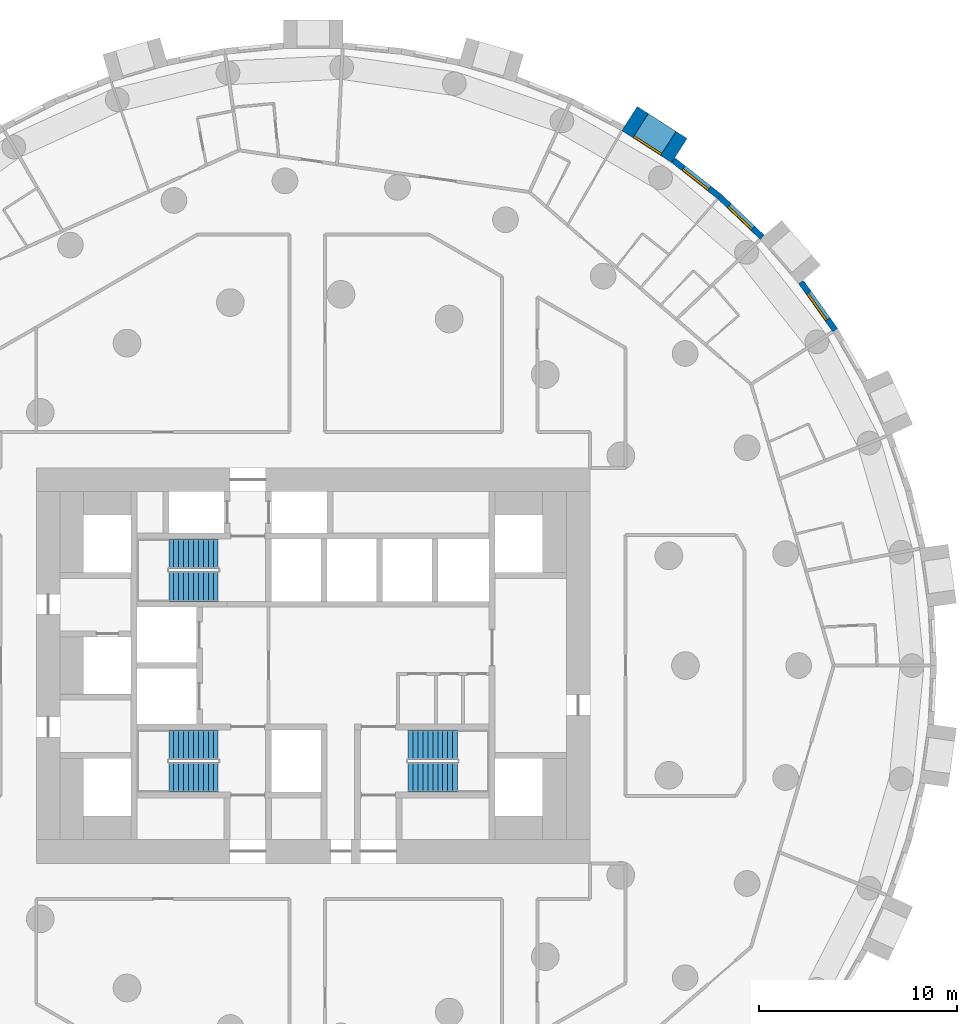
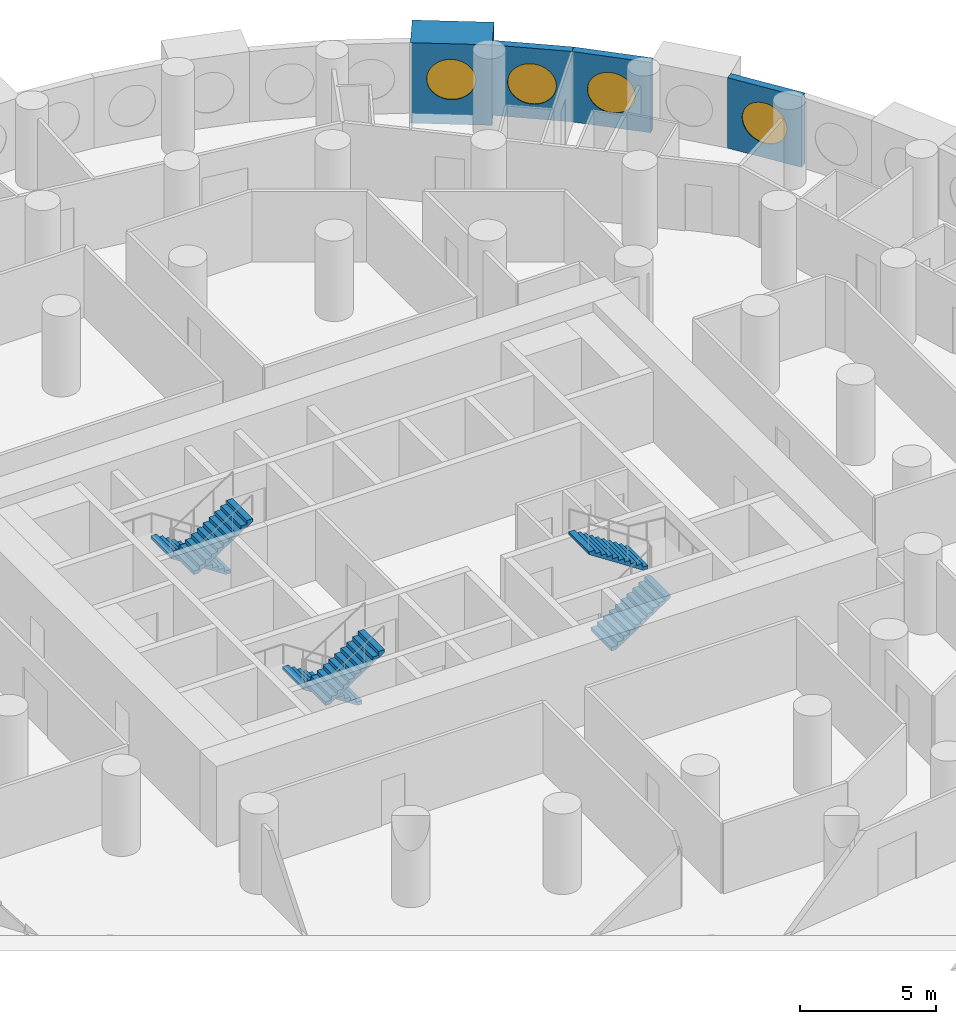
# One storey, part 11 of 12: 6 stair flights, 4 walls, 4 windows, 4 openings, 3 elements without a shape of their own.
"""IFC4 building model written with IfcOpenShell, lengths in metres."""

from ifc_helpers import new_model, si_unit, direction, frame, frame_2d, origin, origin_2d, place, context, subcontext, project, spatial, polyline, rectangle, circle, outline, extrude, material, layer, layer_set, type_object, element, fill, aggregate, save


model = new_model("IFC4")

# Units and contexts
model_context = context("Model", 3, precision=1e-05, world=origin(), true_north=direction((0.0, 1.0)))
body_context = subcontext(model_context, "Body", "Model", "MODEL_VIEW")
ifc_project = project(units=[si_unit("LENGTHUNIT", "METRE"), si_unit("AREAUNIT", "SQUARE_METRE"), si_unit("VOLUMEUNIT", "CUBIC_METRE"), si_unit("PLANEANGLEUNIT", "RADIAN"), si_unit("MASSUNIT", "GRAM", prefix="KILO")], contexts=[model_context])

# Site, building, storey
site_placement = place(None, origin())
site = spatial("IfcSite", under=ifc_project, at=site_placement, CompositionType="ELEMENT")
building_placement = place(site_placement, origin())
building = spatial("IfcBuilding", under=site, at=building_placement, Name="Tracery Tower", CompositionType="ELEMENT")
storey_placement = place(building_placement, frame((0.0, 0.0, 111.0)))
storey = spatial("IfcBuildingStorey", under=building, at=storey_placement, Name="L28", CompositionType="ELEMENT", Elevation=111.0)

# Wall, opening, window
ifc_material_1 = material(Name="Precast concrete C50/60", Category="concrete")
ifc_layer_1 = layer(ifc_material_1, 1.449951171875)
ifc_layer_set_1 = layer_set([ifc_layer_1], Name="Deep-set bay unit 3000 x 3600, slab edge 450")
wall_type_1 = type_object("IfcWallType", Name="Deep-set bay unit 3000 x 3600, slab edge 450", PredefinedType="ELEMENTEDWALL", material=ifc_layer_set_1)
wall_1_placement = place(storey_placement, frame((18.515869140625, 26.03662109375, -0.449951171875), z_axis=(0.0, 0.0, 1.0), x_axis=(-0.841223422347, 0.540687667415, 0.0)))
wall_1 = element("IfcWall", 1, at=wall_1_placement, inside=storey, type_object=wall_type_1, Name="Deep-set bay unit 11 at L28", PredefinedType="ELEMENTEDWALL", context=body_context, shape_type="SweptSolid", body=[
    extrude(rectangle(XDim=3.0, YDim=1.449951171875, at=frame_2d((1.5, 0.0))), origin(), (0.0, 0.0, 1.0), 3.599853515625),
])
opening_1_placement = place(wall_1_placement, frame((1.5, 0.0, 2.0)))
opening_1 = element("IfcOpeningElement", 2, at=opening_1_placement, cuts=wall_1, Name="Opening WN1", PredefinedType="OPENING", context=body_context, shape_type="SweptSolid", body=[
    extrude(circle(Radius=0.9000244140625, at=origin_2d()), frame((0.0, 0.73486328125, 0.0), z_axis=(0.0, -1.0, 0.0), x_axis=(1.0, 0.0, 0.0)), (0.0, 0.0, 1.0), 1.469970703125),
])
ifc_material_2 = material(Name="Aluminium frame with tinted double glazing", Category="aluminium")
window_type = type_object("IfcWindowType", Name="Round window 1800", PartitioningType="SINGLE_PANEL", PredefinedType="WINDOW", material=ifc_material_2)
window_1_placement = place(opening_1_placement, origin())
window_1 = element("IfcWindow", 3, at=window_1_placement, inside=storey, type_object=window_type, Name="Round window 11 at L28", OverallHeight=1.800048828125, OverallWidth=1.800048828125, PartitioningType="SINGLE_PANEL", PredefinedType="WINDOW", context=body_context, shape_type="SweptSolid", body=[
    extrude(circle(Radius=0.9000244140625, at=origin_2d()), frame((0.0, 0.69482421875, 0.0), z_axis=(0.0, -1.0, 0.0), x_axis=(1.0, 0.0, 0.0)), (0.0, 0.0, 1.0), 0.10009765625),
])
fill(opening_1, window_1)

ifc_material_3 = material(Name="Precast concrete C50/60", Category="concrete")
ifc_layer_2 = layer(ifc_material_3, 0.300048828125)
ifc_layer_set_2 = layer_set([ifc_layer_2], Name="Facade panel 3000 x 3150")
wall_type_2 = type_object("IfcWallType", Name="Facade panel 3000 x 3150", PredefinedType="SOLIDWALL", material=ifc_layer_set_2)
wall_2_placement = place(storey_placement, frame((26.393798828125, 16.96240234375, 0.0), z_axis=(0.0, 0.0, 1.0), x_axis=(-0.580059407678, 0.81457417315, 0.0)))
wall_2 = element("IfcWall", 4, at=wall_2_placement, inside=storey, type_object=wall_type_2, Name="Facade panel 7 at L28", PredefinedType="SOLIDWALL", context=body_context, shape_type="SweptSolid", body=[
    extrude(rectangle(XDim=2.9794921875, YDim=0.300048828125, at=frame_2d((1.48974609375, 0.0))), origin(), (0.0, 0.0, 1.0), 3.14990234375),
])
opening_2_placement = place(wall_2_placement, frame((1.48974609375, 0.0, 1.5498046875)))
opening_2 = element("IfcOpeningElement", 5, at=opening_2_placement, cuts=wall_2, Name="Opening WN1", PredefinedType="OPENING", context=body_context, shape_type="SweptSolid", body=[
    extrude(circle(Radius=0.9000244140625, at=origin_2d()), frame((0.0, 0.159912109375, 0.0), z_axis=(0.0, -1.0, 0.0), x_axis=(1.0, 0.0, 0.0)), (0.0, 0.0, 1.0), 0.320068359375),
])
window_2_placement = place(opening_2_placement, origin())
window_2 = element("IfcWindow", 6, at=window_2_placement, inside=storey, type_object=window_type, Name="Round window 7 at L28", OverallHeight=1.800048828125, OverallWidth=1.800048828125, PartitioningType="SINGLE_PANEL", PredefinedType="WINDOW", context=body_context, shape_type="SweptSolid", body=[
    extrude(circle(Radius=0.9000244140625, at=origin_2d()), frame((0.0, 0.1201171875, 0.0), z_axis=(0.0, -1.0, 0.0), x_axis=(1.0, 0.0, 0.0)), (0.0, 0.0, 1.0), 0.10009765625),
])
fill(opening_2, window_2)

wall_3_placement = place(storey_placement, frame((22.702392578125, 21.655029296875, 0.0), z_axis=(0.0, 0.0, 1.0), x_axis=(-0.723744206617, 0.690068346896, 0.0)))
wall_3 = element("IfcWall", 7, at=wall_3_placement, inside=storey, type_object=wall_type_2, Name="Facade panel 9 at L28", PredefinedType="SOLIDWALL", context=body_context, shape_type="SweptSolid", body=[
    extrude(rectangle(XDim=2.979736328125, YDim=0.300048828125, at=frame_2d((1.48974609375, 0.0))), origin(), (0.0, 0.0, 1.0), 3.14990234375),
])
opening_3_placement = place(wall_3_placement, frame((1.48974609375, 0.0, 1.5498046875)))
opening_3 = element("IfcOpeningElement", 8, at=opening_3_placement, cuts=wall_3, Name="Opening WN1", PredefinedType="OPENING", context=body_context, shape_type="SweptSolid", body=[
    extrude(circle(Radius=0.9000244140625, at=origin_2d()), frame((0.0, 0.159912109375, 0.0), z_axis=(0.0, -1.0, 0.0), x_axis=(1.0, 0.0, 0.0)), (0.0, 0.0, 1.0), 0.320068359375),
])
window_3_placement = place(opening_3_placement, origin())
window_3 = element("IfcWindow", 9, at=window_3_placement, inside=storey, type_object=window_type, Name="Round window 9 at L28", OverallHeight=1.800048828125, OverallWidth=1.800048828125, PartitioningType="SINGLE_PANEL", PredefinedType="WINDOW", context=body_context, shape_type="SweptSolid", body=[
    extrude(circle(Radius=0.9000244140625, at=origin_2d()), frame((0.0, 0.1201171875, 0.0), z_axis=(0.0, -1.0, 0.0), x_axis=(1.0, 0.0, 0.0)), (0.0, 0.0, 1.0), 0.10009765625),
])
fill(opening_3, window_3)

wall_4_placement = place(storey_placement, frame((20.5458984375, 23.711181640625, 0.0), z_axis=(0.0, 0.0, 1.0), x_axis=(-0.786045331304, 0.618168858108, 0.0)))
wall_4 = element("IfcWall", 10, at=wall_4_placement, inside=storey, type_object=wall_type_2, Name="Facade panel 10 at L28", PredefinedType="SOLIDWALL", context=body_context, shape_type="SweptSolid", body=[
    extrude(rectangle(XDim=2.979736328125, YDim=0.300048828125, at=frame_2d((1.48974609375, 0.0))), origin(), (0.0, 0.0, 1.0), 3.14990234375),
])
opening_4_placement = place(wall_4_placement, frame((1.48974609375, 0.0, 1.5498046875)))
opening_4 = element("IfcOpeningElement", 11, at=opening_4_placement, cuts=wall_4, Name="Opening WN1", PredefinedType="OPENING", context=body_context, shape_type="SweptSolid", body=[
    extrude(circle(Radius=0.9000244140625, at=origin_2d()), frame((0.0, 0.159912109375, 0.0), z_axis=(0.0, -1.0, 0.0), x_axis=(1.0, 0.0, 0.0)), (0.0, 0.0, 1.0), 0.320068359375),
])
window_4_placement = place(opening_4_placement, origin())
window_4 = element("IfcWindow", 12, at=window_4_placement, inside=storey, type_object=window_type, Name="Round window 10 at L28", OverallHeight=1.800048828125, OverallWidth=1.800048828125, PartitioningType="SINGLE_PANEL", PredefinedType="WINDOW", context=body_context, shape_type="SweptSolid", body=[
    extrude(circle(Radius=0.9000244140625, at=origin_2d()), frame((0.0, 0.1201171875, 0.0), z_axis=(0.0, -1.0, 0.0), x_axis=(1.0, 0.0, 0.0)), (0.0, 0.0, 1.0), 0.10009765625),
])
fill(opening_4, window_4)

# Stair, stair flights
ifc_material_4 = material(Name="Concrete C32/40", Category="concrete")
stair_type = type_object("IfcStairType", Name="Core stair 22 risers", PredefinedType="HALF_TURN_STAIR", material=ifc_material_4)
stair_1_placement = place(storey_placement, origin())
stair_1 = element("IfcStair", 13, at=stair_1_placement, inside=storey, type_object=stair_type, Name="L28 stair ST1", PredefinedType="HALF_TURN_STAIR")
ifc_material_5 = material(Name="Concrete C32/40", Category="concrete")
stair_flight_type = type_object("IfcStairFlightType", Name="Core stair flight 11 risers", PredefinedType="STRAIGHT", material=ifc_material_5)
stair_flight_1_placement = place(storey_placement, frame((-4.800048828125, -4.0, 0.0), z_axis=(0.0, 0.0, 1.0), x_axis=(-1.0, 0.0, 0.0)))
stair_flight_1 = element("IfcStairFlight", 14, at=stair_flight_1_placement, type_object=stair_flight_type, Name="ST1 flight 1", NumberOfRisers=11, NumberOfTreads=10, PredefinedType="STRAIGHT", RiserHeight=0.163636364, TreadLength=0.25, context=body_context, shape_type="SweptSolid", body=[
    extrude(outline(polyline([(0.0, 0.0), (0.0, 0.002685546875), (0.0, 0.00537109375), (0.0, 0.008056640625), (0.0, 0.0107421875), (0.0, 0.013427734375), (0.0, 0.01611328125), (0.0, 0.018798828125), (0.0, 0.021484375), (0.0, 0.024169921875), (0.0, 0.02685546875), (0.0, 0.029541015625), (0.0, 0.0322265625), (0.0, 0.034912109375), (0.0, 0.03759765625), (0.0, 0.040283203125), (0.0, 0.04296875), (0.0, 0.045654296875), (0.0, 0.04833984375), (0.0, 0.051025390625), (0.0, 0.0537109375), (0.0, 0.056396484375), (0.0, 0.05908203125), (0.0, 0.061767578125), (0.0, 0.064453125), (0.0, 0.067138671875), (0.0, 0.06982421875), (0.0, 0.072509765625), (0.0, 0.0751953125), (0.0, 0.077880859375), (0.0, 0.08056640625), (0.0, 0.083251953125), (0.0, 0.0859375), (0.0, 0.088623046875), (0.0, 0.09130859375), (0.0, 0.093994140625), (0.0, 0.0966796875), (0.0, 0.099365234375), (0.0, 0.10205078125), (0.0, 0.104736328125), (0.0, 0.107421875), (0.0, 0.10986328125), (0.0, 0.112548828125), (0.0, 0.115234375), (0.0, 0.117919921875), (0.0, 0.12060546875), (0.0, 0.123291015625), (0.0, 0.1259765625), (0.0, 0.128662109375), (0.0, 0.13134765625), (0.0, 0.134033203125), (0.0, 0.13671875), (0.0, 0.139404296875), (0.0, 0.14208984375), (0.0, 0.144775390625), (0.0, 0.1474609375), (0.0, 0.150146484375), (0.0, 0.15283203125), (0.0, 0.155517578125), (0.0, 0.158203125), (0.0, 0.160888671875), (0.0, 0.16357421875), (0.25, 0.16357421875), (0.25, 0.327392578125), (0.5, 0.327392578125), (0.5, 0.490966796875), (0.75, 0.490966796875), (0.75, 0.654541015625), (1.0, 0.654541015625), (1.0, 0.818115234375), (1.25, 0.818115234375), (1.25, 0.98193359375), (1.5, 0.98193359375), (1.5, 1.1455078125), (1.75, 1.1455078125), (1.75, 1.30908203125), (2.0, 1.30908203125), (2.0, 1.47265625), (2.25, 1.47265625), (2.25, 1.636474609375), (2.5, 1.636474609375), (2.5, 1.634521484375), (2.5, 1.63232421875), (2.5, 1.63037109375), (2.5, 1.62841796875), (2.5, 1.62646484375), (2.5, 1.62451171875), (2.5, 1.62255859375), (2.5, 1.62060546875), (2.5, 1.61865234375), (2.5, 1.61669921875), (2.5, 1.61474609375), (2.5, 1.61279296875), (2.5, 1.61083984375), (2.5, 1.60888671875), (2.5, 1.60693359375), (2.5, 1.60498046875), (2.5, 1.60302734375), (2.5, 1.60107421875), (2.5, 1.59912109375), (2.5, 1.59716796875), (2.5, 1.59521484375), (2.5, 1.59326171875), (2.5, 1.59130859375), (2.5, 1.58935546875), (2.5, 1.58740234375), (2.5, 1.58544921875), (2.5, 1.58349609375), (2.5, 1.58154296875), (2.5, 1.57958984375), (2.5, 1.57763671875), (2.5, 1.57568359375), (2.5, 1.573486328125), (2.5, 1.571533203125), (2.5, 1.569580078125), (2.5, 1.567626953125), (2.5, 1.565673828125), (2.5, 1.563720703125), (2.5, 1.561767578125), (2.5, 1.559814453125), (2.5, 1.557861328125), (2.5, 1.555908203125), (2.5, 1.553955078125), (2.5, 1.552001953125), (2.5, 1.550048828125), (2.5, 1.548095703125), (2.5, 1.546142578125), (2.5, 1.544189453125), (2.5, 1.542236328125), (2.5, 1.540283203125), (2.5, 1.538330078125), (2.5, 1.536376953125), (2.5, 1.534423828125), (2.5, 1.532470703125), (2.5, 1.530517578125), (2.5, 1.528564453125), (2.5, 1.526611328125), (2.5, 1.524658203125), (2.5, 1.522705078125), (2.5, 1.520751953125), (2.5, 1.518798828125), (2.5, 1.516845703125), (0.182861328125, 0.0), (0.0, 0.0)])), frame((0.0, 0.75, 0.0), z_axis=(0.0, -1.0, 0.0), x_axis=(1.0, 0.0, 0.0)), (0.0, 0.0, 1.0), 1.5),
])
stair_flight_2_placement = place(storey_placement, frame((-7.300048828125, -5.64990234375, 1.800048828125), z_axis=(0.0, 0.0, 1.0), x_axis=(1.0, 0.0, 0.0)))
stair_flight_2 = element("IfcStairFlight", 15, at=stair_flight_2_placement, type_object=stair_flight_type, Name="ST1 flight 2", NumberOfRisers=11, NumberOfTreads=10, PredefinedType="STRAIGHT", RiserHeight=0.163636364, TreadLength=0.25, context=body_context, shape_type="SweptSolid", body=[
    extrude(outline(polyline([(0.0, 0.0), (0.0, 0.002685546875), (0.0, 0.00537109375), (0.0, 0.008056640625), (0.0, 0.0107421875), (0.0, 0.013427734375), (0.0, 0.01611328125), (0.0, 0.018798828125), (0.0, 0.021484375), (0.0, 0.024169921875), (0.0, 0.02685546875), (0.0, 0.029541015625), (0.0, 0.0322265625), (0.0, 0.034912109375), (0.0, 0.03759765625), (0.0, 0.040283203125), (0.0, 0.04296875), (0.0, 0.045654296875), (0.0, 0.04833984375), (0.0, 0.051025390625), (0.0, 0.0537109375), (0.0, 0.056396484375), (0.0, 0.05908203125), (0.0, 0.061767578125), (0.0, 0.064453125), (0.0, 0.067138671875), (0.0, 0.06982421875), (0.0, 0.072509765625), (0.0, 0.0751953125), (0.0, 0.077880859375), (0.0, 0.08056640625), (0.0, 0.083251953125), (0.0, 0.0859375), (0.0, 0.088623046875), (0.0, 0.09130859375), (0.0, 0.093994140625), (0.0, 0.0966796875), (0.0, 0.099365234375), (0.0, 0.10205078125), (0.0, 0.104736328125), (0.0, 0.107421875), (0.0, 0.10986328125), (0.0, 0.112548828125), (0.0, 0.115234375), (0.0, 0.117919921875), (0.0, 0.12060546875), (0.0, 0.123291015625), (0.0, 0.1259765625), (0.0, 0.128662109375), (0.0, 0.13134765625), (0.0, 0.134033203125), (0.0, 0.13671875), (0.0, 0.139404296875), (0.0, 0.14208984375), (0.0, 0.144775390625), (0.0, 0.1474609375), (0.0, 0.150146484375), (0.0, 0.15283203125), (0.0, 0.155517578125), (0.0, 0.158203125), (0.0, 0.160888671875), (0.0, 0.16357421875), (0.25, 0.16357421875), (0.25, 0.327392578125), (0.5, 0.327392578125), (0.5, 0.490966796875), (0.75, 0.490966796875), (0.75, 0.654541015625), (1.0, 0.654541015625), (1.0, 0.818115234375), (1.25, 0.818115234375), (1.25, 0.98193359375), (1.5, 0.98193359375), (1.5, 1.1455078125), (1.75, 1.1455078125), (1.75, 1.30908203125), (2.0, 1.30908203125), (2.0, 1.47265625), (2.25, 1.47265625), (2.25, 1.636474609375), (2.5, 1.636474609375), (2.5, 1.634521484375), (2.5, 1.63232421875), (2.5, 1.63037109375), (2.5, 1.62841796875), (2.5, 1.62646484375), (2.5, 1.62451171875), (2.5, 1.62255859375), (2.5, 1.62060546875), (2.5, 1.61865234375), (2.5, 1.61669921875), (2.5, 1.61474609375), (2.5, 1.61279296875), (2.5, 1.61083984375), (2.5, 1.60888671875), (2.5, 1.60693359375), (2.5, 1.60498046875), (2.5, 1.60302734375), (2.5, 1.60107421875), (2.5, 1.59912109375), (2.5, 1.59716796875), (2.5, 1.59521484375), (2.5, 1.59326171875), (2.5, 1.59130859375), (2.5, 1.58935546875), (2.5, 1.58740234375), (2.5, 1.58544921875), (2.5, 1.58349609375), (2.5, 1.58154296875), (2.5, 1.57958984375), (2.5, 1.57763671875), (2.5, 1.57568359375), (2.5, 1.573486328125), (2.5, 1.571533203125), (2.5, 1.569580078125), (2.5, 1.567626953125), (2.5, 1.565673828125), (2.5, 1.563720703125), (2.5, 1.561767578125), (2.5, 1.559814453125), (2.5, 1.557861328125), (2.5, 1.555908203125), (2.5, 1.553955078125), (2.5, 1.552001953125), (2.5, 1.550048828125), (2.5, 1.548095703125), (2.5, 1.546142578125), (2.5, 1.544189453125), (2.5, 1.542236328125), (2.5, 1.540283203125), (2.5, 1.538330078125), (2.5, 1.536376953125), (2.5, 1.534423828125), (2.5, 1.532470703125), (2.5, 1.530517578125), (2.5, 1.528564453125), (2.5, 1.526611328125), (2.5, 1.524658203125), (2.5, 1.522705078125), (2.5, 1.520751953125), (2.5, 1.518798828125), (2.5, 1.516845703125), (0.182861328125, 0.0), (0.0, 0.0)])), frame((0.0, 0.75, 0.0), z_axis=(0.0, -1.0, 0.0), x_axis=(1.0, 0.0, 0.0)), (0.0, 0.0, 1.0), 1.5),
])
aggregate(stair_1, [stair_flight_1, stair_flight_2])

stair_2_placement = place(storey_placement, origin())
stair_2 = element("IfcStair", 16, at=stair_2_placement, inside=storey, type_object=stair_type, Name="L28 stair ST3", PredefinedType="HALF_TURN_STAIR")
stair_flight_3_placement = place(storey_placement, frame((-4.800048828125, 5.64990234375, 0.0), z_axis=(0.0, 0.0, 1.0), x_axis=(-1.0, 0.0, 0.0)))
stair_flight_3 = element("IfcStairFlight", 17, at=stair_flight_3_placement, type_object=stair_flight_type, Name="ST3 flight 1", NumberOfRisers=11, NumberOfTreads=10, PredefinedType="STRAIGHT", RiserHeight=0.163636364, TreadLength=0.25, context=body_context, shape_type="SweptSolid", body=[
    extrude(outline(polyline([(0.0, 0.0), (0.0, 0.002685546875), (0.0, 0.00537109375), (0.0, 0.008056640625), (0.0, 0.0107421875), (0.0, 0.013427734375), (0.0, 0.01611328125), (0.0, 0.018798828125), (0.0, 0.021484375), (0.0, 0.024169921875), (0.0, 0.02685546875), (0.0, 0.029541015625), (0.0, 0.0322265625), (0.0, 0.034912109375), (0.0, 0.03759765625), (0.0, 0.040283203125), (0.0, 0.04296875), (0.0, 0.045654296875), (0.0, 0.04833984375), (0.0, 0.051025390625), (0.0, 0.0537109375), (0.0, 0.056396484375), (0.0, 0.05908203125), (0.0, 0.061767578125), (0.0, 0.064453125), (0.0, 0.067138671875), (0.0, 0.06982421875), (0.0, 0.072509765625), (0.0, 0.0751953125), (0.0, 0.077880859375), (0.0, 0.08056640625), (0.0, 0.083251953125), (0.0, 0.0859375), (0.0, 0.088623046875), (0.0, 0.09130859375), (0.0, 0.093994140625), (0.0, 0.0966796875), (0.0, 0.099365234375), (0.0, 0.10205078125), (0.0, 0.104736328125), (0.0, 0.107421875), (0.0, 0.10986328125), (0.0, 0.112548828125), (0.0, 0.115234375), (0.0, 0.117919921875), (0.0, 0.12060546875), (0.0, 0.123291015625), (0.0, 0.1259765625), (0.0, 0.128662109375), (0.0, 0.13134765625), (0.0, 0.134033203125), (0.0, 0.13671875), (0.0, 0.139404296875), (0.0, 0.14208984375), (0.0, 0.144775390625), (0.0, 0.1474609375), (0.0, 0.150146484375), (0.0, 0.15283203125), (0.0, 0.155517578125), (0.0, 0.158203125), (0.0, 0.160888671875), (0.0, 0.16357421875), (0.25, 0.16357421875), (0.25, 0.327392578125), (0.5, 0.327392578125), (0.5, 0.490966796875), (0.75, 0.490966796875), (0.75, 0.654541015625), (1.0, 0.654541015625), (1.0, 0.818115234375), (1.25, 0.818115234375), (1.25, 0.98193359375), (1.5, 0.98193359375), (1.5, 1.1455078125), (1.75, 1.1455078125), (1.75, 1.30908203125), (2.0, 1.30908203125), (2.0, 1.47265625), (2.25, 1.47265625), (2.25, 1.636474609375), (2.5, 1.636474609375), (2.5, 1.634521484375), (2.5, 1.63232421875), (2.5, 1.63037109375), (2.5, 1.62841796875), (2.5, 1.62646484375), (2.5, 1.62451171875), (2.5, 1.62255859375), (2.5, 1.62060546875), (2.5, 1.61865234375), (2.5, 1.61669921875), (2.5, 1.61474609375), (2.5, 1.61279296875), (2.5, 1.61083984375), (2.5, 1.60888671875), (2.5, 1.60693359375), (2.5, 1.60498046875), (2.5, 1.60302734375), (2.5, 1.60107421875), (2.5, 1.59912109375), (2.5, 1.59716796875), (2.5, 1.59521484375), (2.5, 1.59326171875), (2.5, 1.59130859375), (2.5, 1.58935546875), (2.5, 1.58740234375), (2.5, 1.58544921875), (2.5, 1.58349609375), (2.5, 1.58154296875), (2.5, 1.57958984375), (2.5, 1.57763671875), (2.5, 1.57568359375), (2.5, 1.573486328125), (2.5, 1.571533203125), (2.5, 1.569580078125), (2.5, 1.567626953125), (2.5, 1.565673828125), (2.5, 1.563720703125), (2.5, 1.561767578125), (2.5, 1.559814453125), (2.5, 1.557861328125), (2.5, 1.555908203125), (2.5, 1.553955078125), (2.5, 1.552001953125), (2.5, 1.550048828125), (2.5, 1.548095703125), (2.5, 1.546142578125), (2.5, 1.544189453125), (2.5, 1.542236328125), (2.5, 1.540283203125), (2.5, 1.538330078125), (2.5, 1.536376953125), (2.5, 1.534423828125), (2.5, 1.532470703125), (2.5, 1.530517578125), (2.5, 1.528564453125), (2.5, 1.526611328125), (2.5, 1.524658203125), (2.5, 1.522705078125), (2.5, 1.520751953125), (2.5, 1.518798828125), (2.5, 1.516845703125), (0.182861328125, 0.0), (0.0, 0.0)])), frame((0.0, 0.75, 0.0), z_axis=(0.0, -1.0, 0.0), x_axis=(1.0, 0.0, 0.0)), (0.0, 0.0, 1.0), 1.5),
])
stair_flight_4_placement = place(storey_placement, frame((-7.300048828125, 4.0, 1.800048828125), z_axis=(0.0, 0.0, 1.0), x_axis=(1.0, 0.0, 0.0)))
stair_flight_4 = element("IfcStairFlight", 18, at=stair_flight_4_placement, type_object=stair_flight_type, Name="ST3 flight 2", NumberOfRisers=11, NumberOfTreads=10, PredefinedType="STRAIGHT", RiserHeight=0.163636364, TreadLength=0.25, context=body_context, shape_type="SweptSolid", body=[
    extrude(outline(polyline([(0.0, 0.0), (0.0, 0.002685546875), (0.0, 0.00537109375), (0.0, 0.008056640625), (0.0, 0.0107421875), (0.0, 0.013427734375), (0.0, 0.01611328125), (0.0, 0.018798828125), (0.0, 0.021484375), (0.0, 0.024169921875), (0.0, 0.02685546875), (0.0, 0.029541015625), (0.0, 0.0322265625), (0.0, 0.034912109375), (0.0, 0.03759765625), (0.0, 0.040283203125), (0.0, 0.04296875), (0.0, 0.045654296875), (0.0, 0.04833984375), (0.0, 0.051025390625), (0.0, 0.0537109375), (0.0, 0.056396484375), (0.0, 0.05908203125), (0.0, 0.061767578125), (0.0, 0.064453125), (0.0, 0.067138671875), (0.0, 0.06982421875), (0.0, 0.072509765625), (0.0, 0.0751953125), (0.0, 0.077880859375), (0.0, 0.08056640625), (0.0, 0.083251953125), (0.0, 0.0859375), (0.0, 0.088623046875), (0.0, 0.09130859375), (0.0, 0.093994140625), (0.0, 0.0966796875), (0.0, 0.099365234375), (0.0, 0.10205078125), (0.0, 0.104736328125), (0.0, 0.107421875), (0.0, 0.10986328125), (0.0, 0.112548828125), (0.0, 0.115234375), (0.0, 0.117919921875), (0.0, 0.12060546875), (0.0, 0.123291015625), (0.0, 0.1259765625), (0.0, 0.128662109375), (0.0, 0.13134765625), (0.0, 0.134033203125), (0.0, 0.13671875), (0.0, 0.139404296875), (0.0, 0.14208984375), (0.0, 0.144775390625), (0.0, 0.1474609375), (0.0, 0.150146484375), (0.0, 0.15283203125), (0.0, 0.155517578125), (0.0, 0.158203125), (0.0, 0.160888671875), (0.0, 0.16357421875), (0.25, 0.16357421875), (0.25, 0.327392578125), (0.5, 0.327392578125), (0.5, 0.490966796875), (0.75, 0.490966796875), (0.75, 0.654541015625), (1.0, 0.654541015625), (1.0, 0.818115234375), (1.25, 0.818115234375), (1.25, 0.98193359375), (1.5, 0.98193359375), (1.5, 1.1455078125), (1.75, 1.1455078125), (1.75, 1.30908203125), (2.0, 1.30908203125), (2.0, 1.47265625), (2.25, 1.47265625), (2.25, 1.636474609375), (2.5, 1.636474609375), (2.5, 1.634521484375), (2.5, 1.63232421875), (2.5, 1.63037109375), (2.5, 1.62841796875), (2.5, 1.62646484375), (2.5, 1.62451171875), (2.5, 1.62255859375), (2.5, 1.62060546875), (2.5, 1.61865234375), (2.5, 1.61669921875), (2.5, 1.61474609375), (2.5, 1.61279296875), (2.5, 1.61083984375), (2.5, 1.60888671875), (2.5, 1.60693359375), (2.5, 1.60498046875), (2.5, 1.60302734375), (2.5, 1.60107421875), (2.5, 1.59912109375), (2.5, 1.59716796875), (2.5, 1.59521484375), (2.5, 1.59326171875), (2.5, 1.59130859375), (2.5, 1.58935546875), (2.5, 1.58740234375), (2.5, 1.58544921875), (2.5, 1.58349609375), (2.5, 1.58154296875), (2.5, 1.57958984375), (2.5, 1.57763671875), (2.5, 1.57568359375), (2.5, 1.573486328125), (2.5, 1.571533203125), (2.5, 1.569580078125), (2.5, 1.567626953125), (2.5, 1.565673828125), (2.5, 1.563720703125), (2.5, 1.561767578125), (2.5, 1.559814453125), (2.5, 1.557861328125), (2.5, 1.555908203125), (2.5, 1.553955078125), (2.5, 1.552001953125), (2.5, 1.550048828125), (2.5, 1.548095703125), (2.5, 1.546142578125), (2.5, 1.544189453125), (2.5, 1.542236328125), (2.5, 1.540283203125), (2.5, 1.538330078125), (2.5, 1.536376953125), (2.5, 1.534423828125), (2.5, 1.532470703125), (2.5, 1.530517578125), (2.5, 1.528564453125), (2.5, 1.526611328125), (2.5, 1.524658203125), (2.5, 1.522705078125), (2.5, 1.520751953125), (2.5, 1.518798828125), (2.5, 1.516845703125), (0.182861328125, 0.0), (0.0, 0.0)])), frame((0.0, 0.75, 0.0), z_axis=(0.0, -1.0, 0.0), x_axis=(1.0, 0.0, 0.0)), (0.0, 0.0, 1.0), 1.5),
])
aggregate(stair_2, [stair_flight_3, stair_flight_4])

stair_3_placement = place(storey_placement, origin())
stair_3 = element("IfcStair", 19, at=stair_3_placement, inside=storey, type_object=stair_type, Name="L28 stair ST2", PredefinedType="HALF_TURN_STAIR")
stair_flight_5_placement = place(storey_placement, frame((4.800048828125, -5.64990234375, 0.0), z_axis=(0.0, 0.0, 1.0), x_axis=(1.0, 0.0, 0.0)))
stair_flight_5 = element("IfcStairFlight", 20, at=stair_flight_5_placement, type_object=stair_flight_type, Name="ST2 flight 1", NumberOfRisers=11, NumberOfTreads=10, PredefinedType="STRAIGHT", RiserHeight=0.163636364, TreadLength=0.25, context=body_context, shape_type="SweptSolid", body=[
    extrude(outline(polyline([(0.0, 0.0), (0.0, 0.002685546875), (0.0, 0.00537109375), (0.0, 0.008056640625), (0.0, 0.0107421875), (0.0, 0.013427734375), (0.0, 0.01611328125), (0.0, 0.018798828125), (0.0, 0.021484375), (0.0, 0.024169921875), (0.0, 0.02685546875), (0.0, 0.029541015625), (0.0, 0.0322265625), (0.0, 0.034912109375), (0.0, 0.03759765625), (0.0, 0.040283203125), (0.0, 0.04296875), (0.0, 0.045654296875), (0.0, 0.04833984375), (0.0, 0.051025390625), (0.0, 0.0537109375), (0.0, 0.056396484375), (0.0, 0.05908203125), (0.0, 0.061767578125), (0.0, 0.064453125), (0.0, 0.067138671875), (0.0, 0.06982421875), (0.0, 0.072509765625), (0.0, 0.0751953125), (0.0, 0.077880859375), (0.0, 0.08056640625), (0.0, 0.083251953125), (0.0, 0.0859375), (0.0, 0.088623046875), (0.0, 0.09130859375), (0.0, 0.093994140625), (0.0, 0.0966796875), (0.0, 0.099365234375), (0.0, 0.10205078125), (0.0, 0.104736328125), (0.0, 0.107421875), (0.0, 0.10986328125), (0.0, 0.112548828125), (0.0, 0.115234375), (0.0, 0.117919921875), (0.0, 0.12060546875), (0.0, 0.123291015625), (0.0, 0.1259765625), (0.0, 0.128662109375), (0.0, 0.13134765625), (0.0, 0.134033203125), (0.0, 0.13671875), (0.0, 0.139404296875), (0.0, 0.14208984375), (0.0, 0.144775390625), (0.0, 0.1474609375), (0.0, 0.150146484375), (0.0, 0.15283203125), (0.0, 0.155517578125), (0.0, 0.158203125), (0.0, 0.160888671875), (0.0, 0.16357421875), (0.25, 0.16357421875), (0.25, 0.327392578125), (0.5, 0.327392578125), (0.5, 0.490966796875), (0.75, 0.490966796875), (0.75, 0.654541015625), (1.0, 0.654541015625), (1.0, 0.818115234375), (1.25, 0.818115234375), (1.25, 0.98193359375), (1.5, 0.98193359375), (1.5, 1.1455078125), (1.75, 1.1455078125), (1.75, 1.30908203125), (2.0, 1.30908203125), (2.0, 1.47265625), (2.25, 1.47265625), (2.25, 1.636474609375), (2.5, 1.636474609375), (2.5, 1.634521484375), (2.5, 1.63232421875), (2.5, 1.63037109375), (2.5, 1.62841796875), (2.5, 1.62646484375), (2.5, 1.62451171875), (2.5, 1.62255859375), (2.5, 1.62060546875), (2.5, 1.61865234375), (2.5, 1.61669921875), (2.5, 1.61474609375), (2.5, 1.61279296875), (2.5, 1.61083984375), (2.5, 1.60888671875), (2.5, 1.60693359375), (2.5, 1.60498046875), (2.5, 1.60302734375), (2.5, 1.60107421875), (2.5, 1.59912109375), (2.5, 1.59716796875), (2.5, 1.59521484375), (2.5, 1.59326171875), (2.5, 1.59130859375), (2.5, 1.58935546875), (2.5, 1.58740234375), (2.5, 1.58544921875), (2.5, 1.58349609375), (2.5, 1.58154296875), (2.5, 1.57958984375), (2.5, 1.57763671875), (2.5, 1.57568359375), (2.5, 1.573486328125), (2.5, 1.571533203125), (2.5, 1.569580078125), (2.5, 1.567626953125), (2.5, 1.565673828125), (2.5, 1.563720703125), (2.5, 1.561767578125), (2.5, 1.559814453125), (2.5, 1.557861328125), (2.5, 1.555908203125), (2.5, 1.553955078125), (2.5, 1.552001953125), (2.5, 1.550048828125), (2.5, 1.548095703125), (2.5, 1.546142578125), (2.5, 1.544189453125), (2.5, 1.542236328125), (2.5, 1.540283203125), (2.5, 1.538330078125), (2.5, 1.536376953125), (2.5, 1.534423828125), (2.5, 1.532470703125), (2.5, 1.530517578125), (2.5, 1.528564453125), (2.5, 1.526611328125), (2.5, 1.524658203125), (2.5, 1.522705078125), (2.5, 1.520751953125), (2.5, 1.518798828125), (2.5, 1.516845703125), (0.182861328125, 0.0), (0.0, 0.0)])), frame((0.0, 0.75, 0.0), z_axis=(0.0, -1.0, 0.0), x_axis=(1.0, 0.0, 0.0)), (0.0, 0.0, 1.0), 1.5),
])
stair_flight_6_placement = place(storey_placement, frame((7.300048828125, -4.0, 1.800048828125), z_axis=(0.0, 0.0, 1.0), x_axis=(-1.0, 0.0, 0.0)))
stair_flight_6 = element("IfcStairFlight", 21, at=stair_flight_6_placement, type_object=stair_flight_type, Name="ST2 flight 2", NumberOfRisers=11, NumberOfTreads=10, PredefinedType="STRAIGHT", RiserHeight=0.163636364, TreadLength=0.25, context=body_context, shape_type="SweptSolid", body=[
    extrude(outline(polyline([(0.0, 0.0), (0.0, 0.002685546875), (0.0, 0.00537109375), (0.0, 0.008056640625), (0.0, 0.0107421875), (0.0, 0.013427734375), (0.0, 0.01611328125), (0.0, 0.018798828125), (0.0, 0.021484375), (0.0, 0.024169921875), (0.0, 0.02685546875), (0.0, 0.029541015625), (0.0, 0.0322265625), (0.0, 0.034912109375), (0.0, 0.03759765625), (0.0, 0.040283203125), (0.0, 0.04296875), (0.0, 0.045654296875), (0.0, 0.04833984375), (0.0, 0.051025390625), (0.0, 0.0537109375), (0.0, 0.056396484375), (0.0, 0.05908203125), (0.0, 0.061767578125), (0.0, 0.064453125), (0.0, 0.067138671875), (0.0, 0.06982421875), (0.0, 0.072509765625), (0.0, 0.0751953125), (0.0, 0.077880859375), (0.0, 0.08056640625), (0.0, 0.083251953125), (0.0, 0.0859375), (0.0, 0.088623046875), (0.0, 0.09130859375), (0.0, 0.093994140625), (0.0, 0.0966796875), (0.0, 0.099365234375), (0.0, 0.10205078125), (0.0, 0.104736328125), (0.0, 0.107421875), (0.0, 0.10986328125), (0.0, 0.112548828125), (0.0, 0.115234375), (0.0, 0.117919921875), (0.0, 0.12060546875), (0.0, 0.123291015625), (0.0, 0.1259765625), (0.0, 0.128662109375), (0.0, 0.13134765625), (0.0, 0.134033203125), (0.0, 0.13671875), (0.0, 0.139404296875), (0.0, 0.14208984375), (0.0, 0.144775390625), (0.0, 0.1474609375), (0.0, 0.150146484375), (0.0, 0.15283203125), (0.0, 0.155517578125), (0.0, 0.158203125), (0.0, 0.160888671875), (0.0, 0.16357421875), (0.25, 0.16357421875), (0.25, 0.327392578125), (0.5, 0.327392578125), (0.5, 0.490966796875), (0.75, 0.490966796875), (0.75, 0.654541015625), (1.0, 0.654541015625), (1.0, 0.818115234375), (1.25, 0.818115234375), (1.25, 0.98193359375), (1.5, 0.98193359375), (1.5, 1.1455078125), (1.75, 1.1455078125), (1.75, 1.30908203125), (2.0, 1.30908203125), (2.0, 1.47265625), (2.25, 1.47265625), (2.25, 1.636474609375), (2.5, 1.636474609375), (2.5, 1.634521484375), (2.5, 1.63232421875), (2.5, 1.63037109375), (2.5, 1.62841796875), (2.5, 1.62646484375), (2.5, 1.62451171875), (2.5, 1.62255859375), (2.5, 1.62060546875), (2.5, 1.61865234375), (2.5, 1.61669921875), (2.5, 1.61474609375), (2.5, 1.61279296875), (2.5, 1.61083984375), (2.5, 1.60888671875), (2.5, 1.60693359375), (2.5, 1.60498046875), (2.5, 1.60302734375), (2.5, 1.60107421875), (2.5, 1.59912109375), (2.5, 1.59716796875), (2.5, 1.59521484375), (2.5, 1.59326171875), (2.5, 1.59130859375), (2.5, 1.58935546875), (2.5, 1.58740234375), (2.5, 1.58544921875), (2.5, 1.58349609375), (2.5, 1.58154296875), (2.5, 1.57958984375), (2.5, 1.57763671875), (2.5, 1.57568359375), (2.5, 1.573486328125), (2.5, 1.571533203125), (2.5, 1.569580078125), (2.5, 1.567626953125), (2.5, 1.565673828125), (2.5, 1.563720703125), (2.5, 1.561767578125), (2.5, 1.559814453125), (2.5, 1.557861328125), (2.5, 1.555908203125), (2.5, 1.553955078125), (2.5, 1.552001953125), (2.5, 1.550048828125), (2.5, 1.548095703125), (2.5, 1.546142578125), (2.5, 1.544189453125), (2.5, 1.542236328125), (2.5, 1.540283203125), (2.5, 1.538330078125), (2.5, 1.536376953125), (2.5, 1.534423828125), (2.5, 1.532470703125), (2.5, 1.530517578125), (2.5, 1.528564453125), (2.5, 1.526611328125), (2.5, 1.524658203125), (2.5, 1.522705078125), (2.5, 1.520751953125), (2.5, 1.518798828125), (2.5, 1.516845703125), (0.182861328125, 0.0), (0.0, 0.0)])), frame((0.0, 0.75, 0.0), z_axis=(0.0, -1.0, 0.0), x_axis=(1.0, 0.0, 0.0)), (0.0, 0.0, 1.0), 1.5),
])
aggregate(stair_3, [stair_flight_5, stair_flight_6])

save(model, "model.ifc")
